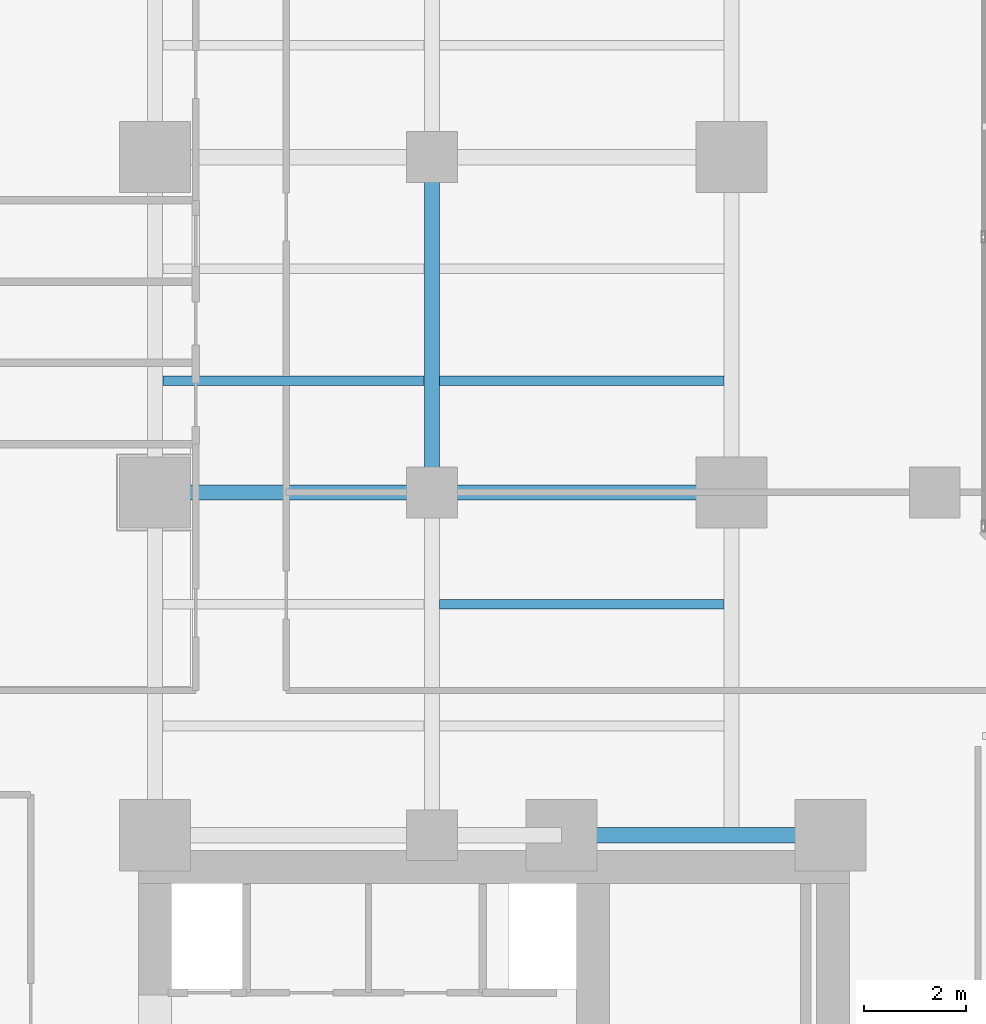
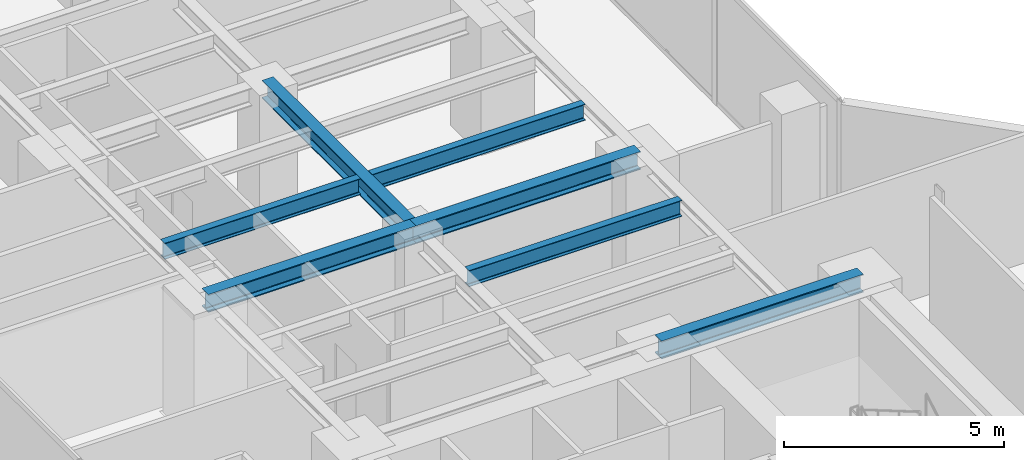
# One storey, part 8 of 28: 7 beams.
"""IFC4 building model written with IfcOpenShell, lengths in metres."""

from ifc_helpers import new_model, si_unit, direction, frame, origin, origin_2d, place, context, subcontext, project, spatial, i_section, extrude, material, material_profile, profile_set, type_object, element, save


model = new_model("IFC4")

# Units and contexts
model_context = context("Model", 3, precision=1e-05, world=origin(), true_north=direction((0.0, 1.0)))
body_context = subcontext(model_context, "Body", "Model", "MODEL_VIEW")
ifc_project = project(units=[si_unit("LENGTHUNIT", "METRE"), si_unit("AREAUNIT", "SQUARE_METRE"), si_unit("VOLUMEUNIT", "CUBIC_METRE"), si_unit("PLANEANGLEUNIT", "RADIAN"), si_unit("MASSUNIT", "GRAM", prefix="KILO")], contexts=[model_context])

# Site, building, storey
site_placement = place(None, origin())
site = spatial("IfcSite", under=ifc_project, at=site_placement, CompositionType="ELEMENT")
building_placement = place(site_placement, origin())
building = spatial("IfcBuilding", under=site, at=building_placement, Name="Kolvaren Waterfront Exchange", CompositionType="ELEMENT")
storey_placement = place(building_placement, frame((0.0, 0.0, 103.10009765625)))
storey = spatial("IfcBuildingStorey", under=building, at=storey_placement, Name="L26", CompositionType="ELEMENT", Elevation=103.10009765625)

# Beams
ifc_material = material(Name="Steel S355", Category="steel")
ifc_material_profile_1 = material_profile(ifc_material, i_section(OverallWidth=0.300048828125, OverallDepth=0.5, WebThickness=0.014404296875, FlangeThickness=0.028076171875, FilletRadius=0.027099609375, at=origin_2d()), Name="HEB500")
ifc_profile_set_1 = profile_set([ifc_material_profile_1], Name="Steel S355")
beam_type_1 = type_object("IfcBeamType", Name="STR-BM-HEB500", PredefinedType="BEAM", material=ifc_profile_set_1)
beam_1_placement = place(storey_placement, frame((15.449951171875, 24.449951171875, 3.289794921875), z_axis=(1.0, 0.0, 0.0), x_axis=(0.0, 1.0, 0.0)))
element("IfcBeam", 1, at=beam_1_placement, inside=storey, type_object=beam_type_1, Name="L26 north-arm girder 1C", PredefinedType="BEAM", context=body_context, shape_type="SweptSolid", body=[
    extrude(i_section(OverallWidth=0.300048828125, OverallDepth=0.5, WebThickness=0.014404296875, FlangeThickness=0.028076171875, FilletRadius=0.027099609375, at=origin_2d()), origin(), (0.0, 0.0, 1.0), 5.300048828125),
])
beam_2_placement = place(storey_placement, frame((7.449951171875, 31.199951171875, 3.289794921875), z_axis=(1.0, 0.0, 0.0), x_axis=(0.0, 1.0, 0.0)))
element("IfcBeam", 2, at=beam_2_placement, inside=storey, type_object=beam_type_1, Name="L26 north-arm girder 2A", PredefinedType="BEAM", context=body_context, shape_type="SweptSolid", body=[
    extrude(i_section(OverallWidth=0.300048828125, OverallDepth=0.5, WebThickness=0.014404296875, FlangeThickness=0.028076171875, FilletRadius=0.027099609375, at=origin_2d()), origin(), (0.0, 0.0, 1.0), 5.449951171875),
])
beam_3_placement = place(storey_placement, frame((12.89990234375, 31.199951171875, 3.289794921875), z_axis=(1.0, 0.0, 0.0), x_axis=(0.0, 1.0, 0.0)))
element("IfcBeam", 3, at=beam_3_placement, inside=storey, type_object=beam_type_1, Name="L26 north-arm girder 2B", PredefinedType="BEAM", context=body_context, shape_type="SweptSolid", body=[
    extrude(i_section(OverallWidth=0.300048828125, OverallDepth=0.5, WebThickness=0.014404296875, FlangeThickness=0.028076171875, FilletRadius=0.027099609375, at=origin_2d()), origin(), (0.0, 0.0, 1.0), 5.900146484375),
])
beam_4_placement = place(storey_placement, frame((12.89990234375, 31.199951171875, 3.289794921875), z_axis=(0.0, 1.0, 0.0), x_axis=(-1.0, 0.0, 0.0)))
element("IfcBeam", 4, at=beam_4_placement, inside=storey, type_object=beam_type_1, Name="L26 north-arm edge beam 2", PredefinedType="BEAM", context=body_context, shape_type="SweptSolid", body=[
    extrude(i_section(OverallWidth=0.300048828125, OverallDepth=0.5, WebThickness=0.014404296875, FlangeThickness=0.028076171875, FilletRadius=0.027099609375, at=origin_2d()), origin(), (0.0, 0.0, 1.0), 6.60009765625),
])
ifc_material_profile_2 = material_profile(ifc_material, i_section(OverallWidth=0.18994140625, OverallDepth=0.449951171875, WebThickness=0.009521484375, FlangeThickness=0.0146484375, FilletRadius=0.02099609375, at=origin_2d()), Name="IPE450")
ifc_profile_set_2 = profile_set([ifc_material_profile_2], Name="Steel S355")
beam_type_2 = type_object("IfcBeamType", Name="STR-BM-IPE450", PredefinedType="JOIST", material=ifc_profile_set_2)
beam_5_placement = place(storey_placement, frame((13.052001953125, 29.0, 3.31494140625), z_axis=(1.0, 0.0, 0.0), x_axis=(0.0, 1.0, 0.0)))
element("IfcBeam", 5, at=beam_5_placement, inside=storey, type_object=beam_type_2, Name="L26 north-arm composite joist 2B", PredefinedType="JOIST", context=body_context, shape_type="SweptSolid", body=[
    extrude(i_section(OverallWidth=0.18994140625, OverallDepth=0.449951171875, WebThickness=0.009521484375, FlangeThickness=0.0146484375, FilletRadius=0.02099609375, at=origin_2d()), origin(), (0.0, 0.0, 1.0), 5.595947265625),
])
beam_6_placement = place(storey_placement, frame((7.60205078125, 33.39990234375, 3.31494140625), z_axis=(1.0, 0.0, 0.0), x_axis=(0.0, 1.0, 0.0)))
element("IfcBeam", 6, at=beam_6_placement, inside=storey, type_object=beam_type_2, Name="L26 north-arm composite joist 3A", PredefinedType="JOIST", context=body_context, shape_type="SweptSolid", body=[
    extrude(i_section(OverallWidth=0.18994140625, OverallDepth=0.449951171875, WebThickness=0.009521484375, FlangeThickness=0.0146484375, FilletRadius=0.02099609375, at=origin_2d()), origin(), (0.0, 0.0, 1.0), 5.14599609375),
])
beam_7_placement = place(storey_placement, frame((13.052001953125, 33.39990234375, 3.31494140625), z_axis=(1.0, 0.0, 0.0), x_axis=(0.0, 1.0, 0.0)))
element("IfcBeam", 7, at=beam_7_placement, inside=storey, type_object=beam_type_2, Name="L26 north-arm composite joist 3B", PredefinedType="JOIST", context=body_context, shape_type="SweptSolid", body=[
    extrude(i_section(OverallWidth=0.18994140625, OverallDepth=0.449951171875, WebThickness=0.009521484375, FlangeThickness=0.0146484375, FilletRadius=0.02099609375, at=origin_2d()), origin(), (0.0, 0.0, 1.0), 5.595947265625),
])

save(model, "model.ifc")
